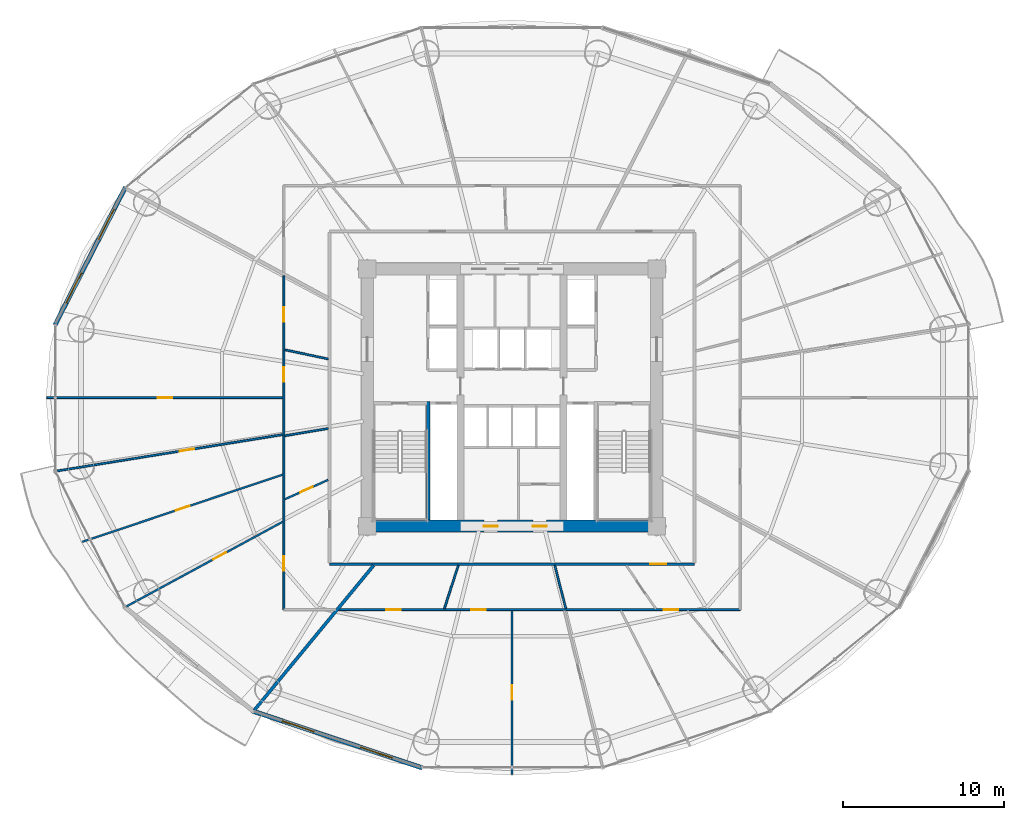
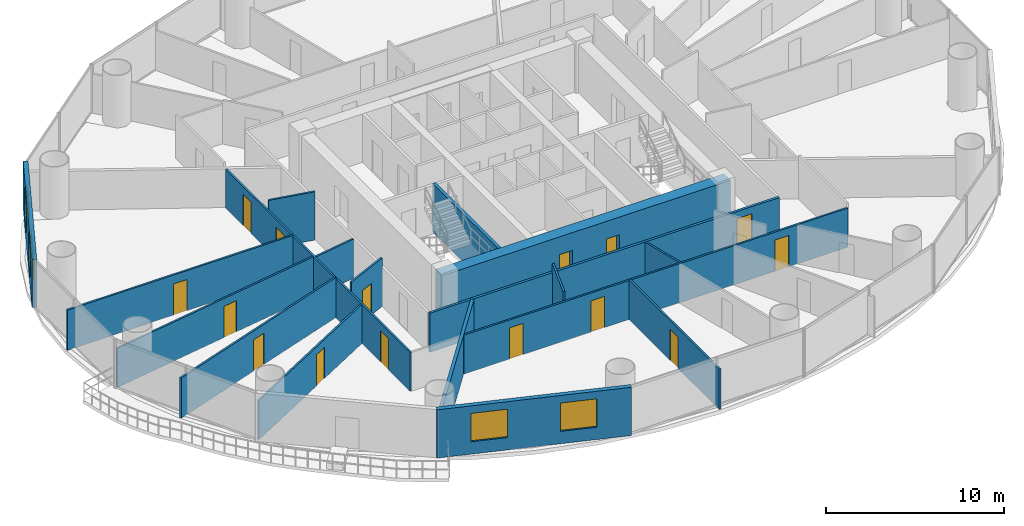
# One storey, part 22 of 29: 18 walls, 15 doors, 4 windows, 19 openings.
"""IFC4 building model written with IfcOpenShell, lengths in metres."""

from ifc_helpers import new_model, si_unit, direction, frame, frame_2d, origin, place, context, subcontext, project, spatial, rectangle, extrude, source, transform, mapped, material, layer, layer_set, type_object, element, fill, save


model = new_model("IFC4")

# Units and contexts
model_context = context("Model", 3, precision=1e-05, world=origin(), true_north=direction((-0.2419218956, 0.970295726276)))
body_context = subcontext(model_context, "Body", "Model", "MODEL_VIEW")
ifc_project = project(units=[si_unit("LENGTHUNIT", "METRE"), si_unit("AREAUNIT", "SQUARE_METRE"), si_unit("VOLUMEUNIT", "CUBIC_METRE"), si_unit("PLANEANGLEUNIT", "RADIAN"), si_unit("MASSUNIT", "GRAM", prefix="KILO")], contexts=[model_context])

# Site, building, storey
site_placement = place(None, origin())
site = spatial("IfcSite", under=ifc_project, at=site_placement, CompositionType="ELEMENT")
building_placement = place(site_placement, origin())
building = spatial("IfcBuilding", under=site, at=building_placement, Name="Cobrevalo Terracotta Tower", CompositionType="ELEMENT")
storey_placement = place(building_placement, frame((0.0, 0.0, 45.60009765625)))
storey = spatial("IfcBuildingStorey", under=building, at=storey_placement, Name="L11", CompositionType="ELEMENT", Elevation=45.60009765625)

# Wall, openings, doors
ifc_material_1 = material(Name="Concrete C60", Category="concrete")
ifc_layer_1 = layer(ifc_material_1, 0.75)
ifc_layer_set_1 = layer_set([ifc_layer_1], Name="Concrete C60")
wall_type_1 = type_object("IfcWallType", Name="Core shear wall 750 mm Concrete C60", PredefinedType="SHEAR", material=ifc_layer_set_1)
wall_1_placement = place(storey_placement, frame((28.625, 18.800048828125, 0.0), z_axis=(0.0, 0.0, 1.0), x_axis=(1.0, 0.0, 0.0)))
wall_1 = element("IfcWall", 1, at=wall_1_placement, inside=storey, type_object=wall_type_1, Name="L11 south core shear wall", PredefinedType="SHEAR", context=body_context, shape_type="SweptSolid", body=[
    extrude(rectangle(XDim=18.75, YDim=0.75, at=frame_2d((9.375, 0.0))), origin(), (0.0, 0.0, 1.0), 3.31982421875),
])
opening_1_placement = place(wall_1_placement, frame((7.62744140625, 0.0, 0.0)))
opening_1 = element("IfcOpeningElement", 2, at=opening_1_placement, cuts=wall_1, Name="Opening ID-22", PredefinedType="OPENING", context=body_context, shape_type="SweptSolid", body=[
    extrude(rectangle(XDim=0.85009765625, YDim=2.10009765625, at=frame_2d((0.425048828125, 1.050048828125))), frame((0.0, 0.385009765625, 0.0), z_axis=(0.0, -1.0, 0.0), x_axis=(1.0, 0.0, 0.0)), (0.0, 0.0, 1.0), 0.77001953125),
])
opening_2_placement = place(wall_1_placement, frame((10.672607421875, 0.0, 0.0)))
opening_2 = element("IfcOpeningElement", 3, at=opening_2_placement, cuts=wall_1, Name="Opening ID-22", PredefinedType="OPENING", context=body_context, shape_type="SweptSolid", body=[
    extrude(rectangle(XDim=0.85009765625, YDim=2.10009765625, at=frame_2d((0.425048828125, 1.050048828125))), frame((0.0, 0.385009765625, 0.0), z_axis=(0.0, -1.0, 0.0), x_axis=(1.0, 0.0, 0.0)), (0.0, 0.0, 1.0), 0.77001953125),
])
ifc_material_2 = material(Name="Powder-coated steel", Category="steel")
door_type_1 = type_object("IfcDoorType", Name="Riser shaft & meter closet fire access door 850x2100 EI 60", OperationType="NOTDEFINED", PredefinedType="DOOR", material=ifc_material_2)
shared_shape_1 = source(origin(), body_context, "Body", "SweptSolid", [
    extrude(rectangle(XDim=0.85009765625, YDim=2.10009765625, at=frame_2d((0.425048828125, 1.050048828125))), frame((0.0, 0.02490234375, 0.0), z_axis=(0.0, -1.0, 0.0), x_axis=(1.0, 0.0, 0.0)), (0.0, 0.0, 1.0), 0.050048828125),
])
door_1_placement = place(opening_1_placement, origin())
door_1 = element("IfcDoor", 4, at=door_1_placement, inside=storey, type_object=door_type_1, Name="L11 core south plant door Floor AHU Mechanical Plant", OperationType="SINGLE_SWING_RIGHT", OverallHeight=2.10009765625, OverallWidth=0.85009765625, PredefinedType="DOOR", context=body_context, shape_type="MappedRepresentation", body=[
    mapped(shared_shape_1, transform((0.0, 0.0, 0.0), scale=1.0)),
])
fill(opening_1, door_1)
door_2_placement = place(opening_2_placement, origin())
door_2 = element("IfcDoor", 5, at=door_2_placement, inside=storey, type_object=door_type_1, Name="L11 core south plant door Sprinkler Valve Plant", OperationType="SINGLE_SWING_RIGHT", OverallHeight=2.10009765625, OverallWidth=0.85009765625, PredefinedType="DOOR", context=body_context, shape_type="MappedRepresentation", body=[
    mapped(shared_shape_1, transform((0.0, 0.0, 0.0), scale=1.0)),
])
fill(opening_2, door_2)

# Wall, opening, door
ifc_material_3 = material(Name="Gypsum board on steel stud", Category="steel")
ifc_layer_2 = layer(ifc_material_3, 0.159912109375)
ifc_layer_set_2 = layer_set([ifc_layer_2], Name="Gypsum board on steel stud")
wall_type_2 = type_object("IfcWallType", Name="Fire-rated corridor acoustic partition wall 160 mm", PredefinedType="PARTITIONING", material=ifc_layer_set_2)
wall_2_placement = place(storey_placement, frame((26.64501953125, 16.445068359375, 0.0), z_axis=(0.0, 0.0, 1.0), x_axis=(1.0, 0.0, 0.0)))
wall_2 = element("IfcWall", 6, at=wall_2_placement, inside=storey, type_object=wall_type_2, Name="L11 interior partition IW-L11-COR-S", PredefinedType="PARTITIONING", context=body_context, shape_type="SweptSolid", body=[
    extrude(rectangle(XDim=22.7099609375, YDim=0.159912109375, at=frame_2d((11.35498046875, 0.0))), origin(), (0.0, 0.0, 1.0), 2.68798828125),
])
opening_3_placement = place(wall_2_placement, frame((19.962158203125, 0.0, 0.0)))
opening_3 = element("IfcOpeningElement", 7, at=opening_3_placement, cuts=wall_2, Name="Opening ID-05", PredefinedType="OPENING", context=body_context, shape_type="SweptSolid", body=[
    extrude(rectangle(XDim=0.97998046875, YDim=2.199951171875, at=frame_2d((0.489990234375, 1.10009765625))), frame((0.0, 0.08984375, 0.0), z_axis=(0.0, -1.0, 0.0), x_axis=(1.0, 0.0, 0.0)), (0.0, 0.0, 1.0), 0.179931640625),
])
ifc_material_4 = material(Name="Solid hardwood timber", Category="wood")
door_type_2 = type_object("IfcDoorType", Name="Residence entrance fire-rated acoustic timber door 980x2200 EI 60", OperationType="NOTDEFINED", PredefinedType="DOOR", material=ifc_material_4)
shared_shape_2 = source(origin(), body_context, "Body", "SweptSolid", [
    extrude(rectangle(XDim=0.97998046875, YDim=2.199951171875, at=frame_2d((0.489990234375, 1.10009765625))), frame((0.0, 0.02490234375, 0.0), z_axis=(0.0, -1.0, 0.0), x_axis=(1.0, 0.0, 0.0)), (0.0, 0.0, 1.0), 0.050048828125),
])
door_3_placement = place(opening_3_placement, origin())
door_3 = element("IfcDoor", 8, at=door_3_placement, inside=storey, type_object=door_type_2, Name="Flat L11D fire-rated apartment entrance door", OperationType="SINGLE_SWING_RIGHT", OverallHeight=2.199951171875, OverallWidth=0.97998046875, PredefinedType="DOOR", context=body_context, shape_type="MappedRepresentation", body=[
    mapped(shared_shape_2, transform((0.0, 0.0, 0.0), scale=1.0)),
])
fill(opening_3, door_3)

# Wall
ifc_material_5 = material(Name="Autoclaved aerated concrete block", Category="concrete")
ifc_layer_3 = layer(ifc_material_5, 0.199951171875)
ifc_layer_set_3 = layer_set([ifc_layer_3], Name="Autoclaved aerated concrete block")
wall_type_3 = type_object("IfcWallType", Name="Fire-rated stair, shaft & demising masonry wall 200 mm", PredefinedType="PARTITIONING", material=ifc_layer_set_3)
wall_3_placement = place(storey_placement, frame((29.395751953125, 16.364990234375, 0.0), z_axis=(0.0, 0.0, 1.0), x_axis=(-0.636186165667, -0.771535587393, 0.0)))
element("IfcWall", 9, at=wall_3_placement, inside=storey, type_object=wall_type_3, Name="L11 interior partition IW-L11-DEM-4", PredefinedType="PARTITIONING", context=body_context, shape_type="SweptSolid", body=[
    extrude(rectangle(XDim=11.68310546875, YDim=0.199951171875, at=frame_2d((5.841552734375, 0.0))), origin(), (0.0, 0.0, 1.0), 2.68798828125),
])

# Wall, openings, windows
ifc_layer_4 = layer(ifc_material_5, 0.280029296875)
ifc_layer_set_4 = layer_set([ifc_layer_4], Name="Autoclaved aerated concrete block")
wall_type_4 = type_object("IfcWallType", Name="Insulated tower spandrel & pier wall 280 mm with terracotta rainscreen", PredefinedType="SOLIDWALL", material=ifc_layer_set_4)
wall_4_placement = place(storey_placement, frame((13.94873046875, 39.910400390625, 0.0), z_axis=(0.0, 0.0, 1.0), x_axis=(-0.45523081716, -0.890373462715, 0.0)))
wall_4 = element("IfcWall", 10, at=wall_4_placement, inside=storey, type_object=wall_type_4, Name="L11 terracotta rainscreen pier wall S07", PredefinedType="SOLIDWALL", context=body_context, shape_type="SweptSolid", body=[
    extrude(rectangle(XDim=9.662109375, YDim=0.280029296875, at=frame_2d((4.8310546875, 0.0))), origin(), (0.0, 0.0, 1.0), 3.31982421875),
])
opening_4_placement = place(wall_4_placement, frame((1.558837890625, 0.0, 0.85009765625)))
opening_4 = element("IfcOpeningElement", 11, at=opening_4_placement, cuts=wall_4, Name="Opening WN-10", PredefinedType="OPENING", context=body_context, shape_type="SweptSolid", body=[
    extrude(rectangle(XDim=2.10009765625, YDim=1.949951171875, at=frame_2d((1.050048828125, 0.97509765625))), frame((0.0, 0.14990234375, 0.0), z_axis=(0.0, -1.0, 0.0), x_axis=(1.0, 0.0, 0.0)), (0.0, 0.0, 1.0), 0.300048828125),
])
opening_5_placement = place(wall_4_placement, frame((6.00341796875, 0.0, 0.85009765625)))
opening_5 = element("IfcOpeningElement", 12, at=opening_5_placement, cuts=wall_4, Name="Opening WN-10", PredefinedType="OPENING", context=body_context, shape_type="SweptSolid", body=[
    extrude(rectangle(XDim=2.10009765625, YDim=1.949951171875, at=frame_2d((1.050048828125, 0.97509765625))), frame((0.0, 0.14990234375, 0.0), z_axis=(0.0, -1.0, 0.0), x_axis=(1.0, 0.0, 0.0)), (0.0, 0.0, 1.0), 0.300048828125),
])
ifc_material_6 = material(Name="Solar-control low-E double glazing", Category="glass")
window_type = type_object("IfcWindowType", Name="Wide panoramic low-E aluminium window 2100x1950", PartitioningType="SINGLE_PANEL", PredefinedType="WINDOW", material=ifc_material_6)
shared_shape_3 = source(origin(), body_context, "Body", "SweptSolid", [
    extrude(rectangle(XDim=2.10009765625, YDim=1.949951171875, at=frame_2d((1.050048828125, 0.97509765625))), frame((0.0, 0.030029296875, 0.0), z_axis=(0.0, -1.0, 0.0), x_axis=(1.0, 0.0, 0.0)), (0.0, 0.0, 1.0), 0.06005859375),
])
window_1_placement = place(opening_4_placement, origin())
window_1 = element("IfcWindow", 13, at=window_1_placement, inside=storey, type_object=window_type, Name="L11 suite window S07A", OverallHeight=1.949951171875, OverallWidth=2.10009765625, PartitioningType="SINGLE_PANEL", PredefinedType="WINDOW", context=body_context, shape_type="MappedRepresentation", body=[
    mapped(shared_shape_3, transform((0.0, 0.0, 0.0), scale=1.0)),
])
fill(opening_4, window_1)
window_2_placement = place(opening_5_placement, origin())
window_2 = element("IfcWindow", 14, at=window_2_placement, inside=storey, type_object=window_type, Name="L11 suite window S07B", OverallHeight=1.949951171875, OverallWidth=2.10009765625, PartitioningType="SINGLE_PANEL", PredefinedType="WINDOW", context=body_context, shape_type="MappedRepresentation", body=[
    mapped(shared_shape_3, transform((0.0, 0.0, 0.0), scale=1.0)),
])
fill(opening_5, window_2)

wall_5_placement = place(storey_placement, frame((21.829345703125, 7.310791015625, 0.0), z_axis=(0.0, 0.0, 1.0), x_axis=(0.948047847546, -0.31812777113, 0.0)))
wall_5 = element("IfcWall", 15, at=wall_5_placement, inside=storey, type_object=wall_type_4, Name="L11 terracotta rainscreen pier wall S11", PredefinedType="SOLIDWALL", context=body_context, shape_type="SweptSolid", body=[
    extrude(rectangle(XDim=11.17529296875, YDim=0.280029296875, at=frame_2d((5.587646484375, 0.0))), origin(), (0.0, 0.0, 1.0), 3.31982421875),
])
opening_6_placement = place(wall_5_placement, frame((1.96728515625, 0.0, 0.85009765625)))
opening_6 = element("IfcOpeningElement", 16, at=opening_6_placement, cuts=wall_5, Name="Opening WN-10", PredefinedType="OPENING", context=body_context, shape_type="SweptSolid", body=[
    extrude(rectangle(XDim=2.10009765625, YDim=1.949951171875, at=frame_2d((1.050048828125, 0.97509765625))), frame((0.0, 0.14990234375, 0.0), z_axis=(0.0, -1.0, 0.0), x_axis=(1.0, 0.0, 0.0)), (0.0, 0.0, 1.0), 0.300048828125),
])
opening_7_placement = place(wall_5_placement, frame((7.108154296875, 0.0, 0.85009765625)))
opening_7 = element("IfcOpeningElement", 17, at=opening_7_placement, cuts=wall_5, Name="Opening WN-10", PredefinedType="OPENING", context=body_context, shape_type="SweptSolid", body=[
    extrude(rectangle(XDim=2.10009765625, YDim=1.949951171875, at=frame_2d((1.050048828125, 0.97509765625))), frame((0.0, 0.14990234375, 0.0), z_axis=(0.0, -1.0, 0.0), x_axis=(1.0, 0.0, 0.0)), (0.0, 0.0, 1.0), 0.300048828125),
])
window_3_placement = place(opening_6_placement, origin())
window_3 = element("IfcWindow", 18, at=window_3_placement, inside=storey, type_object=window_type, Name="L11 suite window S11A", OverallHeight=1.949951171875, OverallWidth=2.10009765625, PartitioningType="SINGLE_PANEL", PredefinedType="WINDOW", context=body_context, shape_type="MappedRepresentation", body=[
    mapped(shared_shape_3, transform((0.0, 0.0, 0.0), scale=1.0)),
])
fill(opening_6, window_3)
window_4_placement = place(opening_7_placement, origin())
window_4 = element("IfcWindow", 19, at=window_4_placement, inside=storey, type_object=window_type, Name="L11 suite window S11B", OverallHeight=1.949951171875, OverallWidth=2.10009765625, PartitioningType="SINGLE_PANEL", PredefinedType="WINDOW", context=body_context, shape_type="MappedRepresentation", body=[
    mapped(shared_shape_3, transform((0.0, 0.0, 0.0), scale=1.0)),
])
fill(opening_7, window_4)

# Wall, openings, doors
ifc_layer_5 = layer(ifc_material_3, 0.1201171875)
ifc_layer_set_5 = layer_set([ifc_layer_5], Name="Gypsum board on steel stud")
wall_type_5 = type_object("IfcWallType", Name="Residential internal acoustic stud partition 120 mm", PredefinedType="PARTITIONING", material=ifc_layer_set_5)
wall_6_placement = place(storey_placement, frame((23.804931640625, 13.60498046875, 0.0), z_axis=(0.0, 0.0, 1.0), x_axis=(0.0, 1.0, 0.0)))
wall_6 = element("IfcWall", 20, at=wall_6_placement, inside=storey, type_object=wall_type_5, Name="L11 interior partition IW-L11-U3-RING1_0", PredefinedType="PARTITIONING", context=body_context, shape_type="SweptSolid", body=[
    extrude(rectangle(XDim=20.779052734375, YDim=0.1201171875, at=frame_2d((10.3896484375, 0.0))), origin(), (0.0, 0.0, 1.0), 2.68798828125),
])
opening_8_placement = place(wall_6_placement, frame((2.424560546875, 0.0, 0.0)))
opening_8 = element("IfcOpeningElement", 21, at=opening_8_placement, cuts=wall_6, Name="Opening ID-12", PredefinedType="OPENING", context=body_context, shape_type="SweptSolid", body=[
    extrude(rectangle(XDim=0.89990234375, YDim=2.14990234375, at=frame_2d((0.449951171875, 1.074951171875))), frame((0.0, 0.070068359375, 0.0), z_axis=(0.0, -1.0, 0.0), x_axis=(1.0, 0.0, 0.0)), (0.0, 0.0, 1.0), 0.14013671875),
])
opening_9_placement = place(wall_6_placement, frame((14.19873046875, 0.0, 0.0)))
opening_9 = element("IfcOpeningElement", 22, at=opening_9_placement, cuts=wall_6, Name="Opening ID-12", PredefinedType="OPENING", context=body_context, shape_type="SweptSolid", body=[
    extrude(rectangle(XDim=0.89990234375, YDim=2.14990234375, at=frame_2d((0.449951171875, 1.074951171875))), frame((0.0, 0.070068359375, 0.0), z_axis=(0.0, -1.0, 0.0), x_axis=(1.0, 0.0, 0.0)), (0.0, 0.0, 1.0), 0.14013671875),
])
opening_10_placement = place(wall_6_placement, frame((17.908203125, 0.0, 0.0)))
opening_10 = element("IfcOpeningElement", 23, at=opening_10_placement, cuts=wall_6, Name="Opening ID-12", PredefinedType="OPENING", context=body_context, shape_type="SweptSolid", body=[
    extrude(rectangle(XDim=0.89990234375, YDim=2.14990234375, at=frame_2d((0.449951171875, 1.074951171875))), frame((0.0, 0.070068359375, 0.0), z_axis=(0.0, -1.0, 0.0), x_axis=(1.0, 0.0, 0.0)), (0.0, 0.0, 1.0), 0.14013671875),
])
ifc_material_7 = material(Name="Engineered timber", Category="wood")
door_type_3 = type_object("IfcDoorType", Name="Internal residence & suite timber door 900x2150", OperationType="NOTDEFINED", PredefinedType="DOOR", material=ifc_material_7)
shared_shape_4 = source(origin(), body_context, "Body", "SweptSolid", [
    extrude(rectangle(XDim=0.89990234375, YDim=2.14990234375, at=frame_2d((0.449951171875, 1.074951171875))), frame((0.0, 0.02490234375, 0.0), z_axis=(0.0, -1.0, 0.0), x_axis=(1.0, 0.0, 0.0)), (0.0, 0.0, 1.0), 0.050048828125),
])
door_4_placement = place(opening_8_placement, origin())
door_4 = element("IfcDoor", 24, at=door_4_placement, inside=storey, type_object=door_type_3, Name="Flat L11C Penthouse Family Lounge internal door", OperationType="SINGLE_SWING_LEFT", OverallHeight=2.14990234375, OverallWidth=0.89990234375, PredefinedType="DOOR", context=body_context, shape_type="MappedRepresentation", body=[
    mapped(shared_shape_4, transform((0.0, 0.0, 0.0), scale=1.0)),
])
fill(opening_8, door_4)
door_5_placement = place(opening_9_placement, frame((0.89990234375, 0.0, 0.0), z_axis=(0.0, 0.0, 1.0), x_axis=(-1.0, 0.0, 0.0)))
door_5 = element("IfcDoor", 25, at=door_5_placement, inside=storey, type_object=door_type_3, Name="Flat L11C Kitchen internal door", OperationType="SINGLE_SWING_RIGHT", OverallHeight=2.14990234375, OverallWidth=0.89990234375, PredefinedType="DOOR", context=body_context, shape_type="MappedRepresentation", body=[
    mapped(shared_shape_4, transform((0.0, 0.0, 0.0), scale=1.0)),
])
fill(opening_9, door_5)
door_6_placement = place(opening_10_placement, frame((0.89990234375, 0.0, 0.0), z_axis=(0.0, 0.0, 1.0), x_axis=(-1.0, 0.0, 0.0)))
door_6 = element("IfcDoor", 26, at=door_6_placement, inside=storey, type_object=door_type_3, Name="Flat L11C Home Office Study internal door", OperationType="SINGLE_SWING_LEFT", OverallHeight=2.14990234375, OverallWidth=0.89990234375, PredefinedType="DOOR", context=body_context, shape_type="MappedRepresentation", body=[
    mapped(shared_shape_4, transform((0.0, 0.0, 0.0), scale=1.0)),
])
fill(opening_10, door_6)

# Wall, opening, door
wall_7_placement = place(storey_placement, frame((23.742919921875, 26.800048828125, 0.0), z_axis=(0.0, 0.0, 1.0), x_axis=(-1.0, 0.0, 0.0)))
wall_7 = element("IfcWall", 27, at=wall_7_placement, inside=storey, type_object=wall_type_5, Name="L11 interior partition IW-L11-U3-ORAD1", PredefinedType="PARTITIONING", context=body_context, shape_type="SweptSolid", body=[
    extrude(rectangle(XDim=14.682861328125, YDim=0.1201171875, at=frame_2d((7.34130859375, 0.0))), origin(), (0.0, 0.0, 1.0), 2.761962890625),
])
opening_11_placement = place(wall_7_placement, frame((6.8916015625, 0.0, 0.0)))
opening_11 = element("IfcOpeningElement", 28, at=opening_11_placement, cuts=wall_7, Name="Opening ID-12", PredefinedType="OPENING", context=body_context, shape_type="SweptSolid", body=[
    extrude(rectangle(XDim=0.89990234375, YDim=2.14990234375, at=frame_2d((0.449951171875, 1.074951171875))), frame((0.0, 0.070068359375, 0.0), z_axis=(0.0, -1.0, 0.0), x_axis=(1.0, 0.0, 0.0)), (0.0, 0.0, 1.0), 0.14013671875),
])
door_7_placement = place(opening_11_placement, frame((0.89990234375, 0.0, 0.0), z_axis=(0.0, 0.0, 1.0), x_axis=(-1.0, 0.0, 0.0)))
door_7 = element("IfcDoor", 29, at=door_7_placement, inside=storey, type_object=door_type_3, Name="Flat L11C Penthouse Living and Dining Room internal door", OperationType="SINGLE_SWING_LEFT", OverallHeight=2.14990234375, OverallWidth=0.89990234375, PredefinedType="DOOR", context=body_context, shape_type="MappedRepresentation", body=[
    mapped(shared_shape_4, transform((0.0, 0.0, 0.0), scale=1.0)),
])
fill(opening_11, door_7)

wall_8_placement = place(storey_placement, frame((23.743896484375, 24.501953125, 0.0), z_axis=(0.0, 0.0, 1.0), x_axis=(-0.987259708938, -0.159117149007, 0.0)))
wall_8 = element("IfcWall", 30, at=wall_8_placement, inside=storey, type_object=wall_type_5, Name="L11 interior partition IW-L11-U3-ORAD2", PredefinedType="PARTITIONING", context=body_context, shape_type="SweptSolid", body=[
    extrude(rectangle(XDim=14.248046875, YDim=0.1201171875, at=frame_2d((7.1240234375, 0.0))), origin(), (0.0, 0.0, 1.0), 2.68798828125),
])
opening_12_placement = place(wall_8_placement, frame((5.603271484375, 0.0, 0.0)))
opening_12 = element("IfcOpeningElement", 31, at=opening_12_placement, cuts=wall_8, Name="Opening ID-12", PredefinedType="OPENING", context=body_context, shape_type="SweptSolid", body=[
    extrude(rectangle(XDim=0.89990234375, YDim=2.14990234375, at=frame_2d((0.449951171875, 1.074951171875))), frame((0.0, 0.070068359375, 0.0), z_axis=(0.0, -1.0, 0.0), x_axis=(1.0, 0.0, 0.0)), (0.0, 0.0, 1.0), 0.14013671875),
])
door_8_placement = place(opening_12_placement, frame((0.89990234375, 0.0, 0.0), z_axis=(0.0, 0.0, 1.0), x_axis=(-1.0, 0.0, 0.0)))
door_8 = element("IfcDoor", 32, at=door_8_placement, inside=storey, type_object=door_type_3, Name="Flat L11C Master Bedroom internal door", OperationType="SINGLE_SWING_RIGHT", OverallHeight=2.14990234375, OverallWidth=0.89990234375, PredefinedType="DOOR", context=body_context, shape_type="MappedRepresentation", body=[
    mapped(shared_shape_4, transform((0.0, 0.0, 0.0), scale=1.0)),
])
fill(opening_12, door_8)

wall_9_placement = place(storey_placement, frame((23.746337890625, 22.015625, 0.0), z_axis=(0.0, 0.0, 1.0), x_axis=(-0.948022802246, -0.318202398516, 0.0)))
wall_9 = element("IfcWall", 33, at=wall_9_placement, inside=storey, type_object=wall_type_5, Name="L11 interior partition IW-L11-U3-ORAD3M1", PredefinedType="PARTITIONING", context=body_context, shape_type="SweptSolid", body=[
    extrude(rectangle(XDim=13.162841796875, YDim=0.1201171875, at=frame_2d((6.58154296875, 0.0))), origin(), (0.0, 0.0, 1.0), 2.761962890625),
])
opening_13_placement = place(wall_9_placement, frame((6.13134765625, 0.0, 0.0)))
opening_13 = element("IfcOpeningElement", 34, at=opening_13_placement, cuts=wall_9, Name="Opening ID-12", PredefinedType="OPENING", context=body_context, shape_type="SweptSolid", body=[
    extrude(rectangle(XDim=0.89990234375, YDim=2.14990234375, at=frame_2d((0.449951171875, 1.074951171875))), frame((0.0, 0.070068359375, 0.0), z_axis=(0.0, -1.0, 0.0), x_axis=(1.0, 0.0, 0.0)), (0.0, 0.0, 1.0), 0.14013671875),
])
door_9_placement = place(opening_13_placement, frame((0.89990234375, 0.0, 0.0), z_axis=(0.0, 0.0, 1.0), x_axis=(-1.0, 0.0, 0.0)))
door_9 = element("IfcDoor", 35, at=door_9_placement, inside=storey, type_object=door_type_3, Name="Flat L11C Principal Guest Bedroom internal door", OperationType="SINGLE_SWING_LEFT", OverallHeight=2.14990234375, OverallWidth=0.89990234375, PredefinedType="DOOR", context=body_context, shape_type="MappedRepresentation", body=[
    mapped(shared_shape_4, transform((0.0, 0.0, 0.0), scale=1.0)),
])
fill(opening_13, door_9)

wall_10_placement = place(storey_placement, frame((23.75048828125, 19.08447265625, 0.0), z_axis=(0.0, 0.0, 1.0), x_axis=(-0.879370672984, -0.476137815654, 0.0)))
wall_10 = element("IfcWall", 36, at=wall_10_placement, inside=storey, type_object=wall_type_5, Name="L11 interior partition IW-L11-U3-ORAD3", PredefinedType="PARTITIONING", context=body_context, shape_type="SweptSolid", body=[
    extrude(rectangle(XDim=11.094482421875, YDim=0.1201171875, at=frame_2d((5.54736328125, 0.0))), origin(), (0.0, 0.0, 1.0), 2.68798828125),
])
opening_14_placement = place(wall_10_placement, frame((4.0341796875, 0.0, 0.0)))
opening_14 = element("IfcOpeningElement", 37, at=opening_14_placement, cuts=wall_10, Name="Opening ID-12", PredefinedType="OPENING", context=body_context, shape_type="SweptSolid", body=[
    extrude(rectangle(XDim=0.89990234375, YDim=2.14990234375, at=frame_2d((0.449951171875, 1.074951171875))), frame((0.0, 0.070068359375, 0.0), z_axis=(0.0, -1.0, 0.0), x_axis=(1.0, 0.0, 0.0)), (0.0, 0.0, 1.0), 0.14013671875),
])
door_10_placement = place(opening_14_placement, frame((0.89990234375, 0.0, 0.0), z_axis=(0.0, 0.0, 1.0), x_axis=(-1.0, 0.0, 0.0)))
door_10 = element("IfcDoor", 38, at=door_10_placement, inside=storey, type_object=door_type_3, Name="Flat L11C Principal Guest Bedroom internal door", OperationType="SINGLE_SWING_RIGHT", OverallHeight=2.14990234375, OverallWidth=0.89990234375, PredefinedType="DOOR", context=body_context, shape_type="MappedRepresentation", body=[
    mapped(shared_shape_4, transform((0.0, 0.0, 0.0), scale=1.0)),
])
fill(opening_14, door_10)

# Walls
wall_11_placement = place(storey_placement, frame((26.56494140625, 29.20654296875, 0.0), z_axis=(0.0, 0.0, 1.0), x_axis=(-0.978560113768, 0.205961413236, 0.0)))
element("IfcWall", 39, at=wall_11_placement, inside=storey, type_object=wall_type_5, Name="L11 interior partition IW-L11-U3-IRAD1", PredefinedType="PARTITIONING", context=body_context, shape_type="SweptSolid", body=[
    extrude(rectangle(XDim=2.75830078125, YDim=0.1201171875, at=frame_2d((1.379150390625, 0.0))), origin(), (0.0, 0.0, 1.0), 3.31982421875),
])
wall_12_placement = place(storey_placement, frame((26.56494140625, 24.882568359375, 0.0), z_axis=(0.0, 0.0, 1.0), x_axis=(-0.986224611599, -0.165411654596, 0.0)))
element("IfcWall", 40, at=wall_12_placement, inside=storey, type_object=wall_type_5, Name="L11 interior partition IW-L11-U3-IRAD2", PredefinedType="PARTITIONING", context=body_context, shape_type="SweptSolid", body=[
    extrude(rectangle(XDim=2.736328125, YDim=0.1201171875, at=frame_2d((1.3681640625, 0.0))), origin(), (0.0, 0.0, 1.0), 2.68798828125),
])

# Wall, opening, door
wall_13_placement = place(storey_placement, frame((26.56494140625, 21.685302734375, 0.0), z_axis=(0.0, 0.0, 1.0), x_axis=(-0.912840085104, -0.408317252914, 0.0)))
wall_13 = element("IfcWall", 41, at=wall_13_placement, inside=storey, type_object=wall_type_5, Name="L11 interior partition IW-L11-U3-IRAD3", PredefinedType="PARTITIONING", context=body_context, shape_type="SweptSolid", body=[
    extrude(rectangle(XDim=2.96142578125, YDim=0.1201171875, at=frame_2d((1.480712890625, 0.0))), origin(), (0.0, 0.0, 1.0), 3.31982421875),
])
opening_15_placement = place(wall_13_placement, frame((1.05078125, 0.0, 0.0)))
opening_15 = element("IfcOpeningElement", 42, at=opening_15_placement, cuts=wall_13, Name="Opening ID-19", PredefinedType="OPENING", context=body_context, shape_type="SweptSolid", body=[
    extrude(rectangle(XDim=0.860107421875, YDim=2.14990234375, at=frame_2d((0.43017578125, 1.074951171875))), frame((0.0, 0.070068359375, 0.0), z_axis=(0.0, -1.0, 0.0), x_axis=(1.0, 0.0, 0.0)), (0.0, 0.0, 1.0), 0.14013671875),
])
ifc_material_8 = material(Name="Moisture-sealed timber", Category="wood")
door_type_4 = type_object("IfcDoorType", Name="Suite bathroom internal timber door 860x2150", OperationType="NOTDEFINED", PredefinedType="DOOR", material=ifc_material_8)
shared_shape_5 = source(origin(), body_context, "Body", "SweptSolid", [
    extrude(rectangle(XDim=0.860107421875, YDim=2.14990234375, at=frame_2d((0.43017578125, 1.074951171875))), frame((0.0, 0.02490234375, 0.0), z_axis=(0.0, -1.0, 0.0), x_axis=(1.0, 0.0, 0.0)), (0.0, 0.0, 1.0), 0.050048828125),
])
door_11_placement = place(opening_15_placement, frame((0.860107421875, 0.0, 0.0), z_axis=(0.0, 0.0, 1.0), x_axis=(-1.0, 0.0, 0.0)))
door_11 = element("IfcDoor", 43, at=door_11_placement, inside=storey, type_object=door_type_4, Name="Flat L11C Primary Bathroom internal door", OperationType="SINGLE_SWING_RIGHT", OverallHeight=2.14990234375, OverallWidth=0.860107421875, PredefinedType="DOOR", context=body_context, shape_type="MappedRepresentation", body=[
    mapped(shared_shape_5, transform((0.0, 0.0, 0.0), scale=1.0)),
])
fill(opening_15, door_11)

# Wall, openings, doors
wall_14_placement = place(storey_placement, frame((52.195068359375, 13.60498046875, 0.0), z_axis=(0.0, 0.0, 1.0), x_axis=(-1.0, 0.0, 0.0)))
wall_14 = element("IfcWall", 44, at=wall_14_placement, inside=storey, type_object=wall_type_5, Name="L11 interior partition IW-L11-U4-RING1_0", PredefinedType="PARTITIONING", context=body_context, shape_type="SweptSolid", body=[
    extrude(rectangle(XDim=24.97314453125, YDim=0.1201171875, at=frame_2d((12.486572265625, 0.0))), origin(), (0.0, 0.0, 1.0), 2.68798828125),
])
opening_16_placement = place(wall_14_placement, frame((3.8408203125, 0.0, 0.0)))
opening_16 = element("IfcOpeningElement", 45, at=opening_16_placement, cuts=wall_14, Name="Opening ID-12", PredefinedType="OPENING", context=body_context, shape_type="SweptSolid", body=[
    extrude(rectangle(XDim=0.89990234375, YDim=2.14990234375, at=frame_2d((0.449951171875, 1.074951171875))), frame((0.0, 0.070068359375, 0.0), z_axis=(0.0, -1.0, 0.0), x_axis=(1.0, 0.0, 0.0)), (0.0, 0.0, 1.0), 0.14013671875),
])
opening_17_placement = place(wall_14_placement, frame((15.8193359375, 0.0, 0.0)))
opening_17 = element("IfcOpeningElement", 46, at=opening_17_placement, cuts=wall_14, Name="Opening ID-12", PredefinedType="OPENING", context=body_context, shape_type="SweptSolid", body=[
    extrude(rectangle(XDim=0.89990234375, YDim=2.14990234375, at=frame_2d((0.449951171875, 1.074951171875))), frame((0.0, 0.070068359375, 0.0), z_axis=(0.0, -1.0, 0.0), x_axis=(1.0, 0.0, 0.0)), (0.0, 0.0, 1.0), 0.14013671875),
])
opening_18_placement = place(wall_14_placement, frame((21.12255859375, 0.0, 0.0)))
opening_18 = element("IfcOpeningElement", 47, at=opening_18_placement, cuts=wall_14, Name="Opening ID-12", PredefinedType="OPENING", context=body_context, shape_type="SweptSolid", body=[
    extrude(rectangle(XDim=0.89990234375, YDim=2.14990234375, at=frame_2d((0.449951171875, 1.074951171875))), frame((0.0, 0.070068359375, 0.0), z_axis=(0.0, -1.0, 0.0), x_axis=(1.0, 0.0, 0.0)), (0.0, 0.0, 1.0), 0.14013671875),
])
door_12_placement = place(opening_16_placement, origin())
door_12 = element("IfcDoor", 48, at=door_12_placement, inside=storey, type_object=door_type_3, Name="Flat L11D Penthouse Family Lounge internal door", OperationType="SINGLE_SWING_RIGHT", OverallHeight=2.14990234375, OverallWidth=0.89990234375, PredefinedType="DOOR", context=body_context, shape_type="MappedRepresentation", body=[
    mapped(shared_shape_4, transform((0.0, 0.0, 0.0), scale=1.0)),
])
fill(opening_16, door_12)
door_13_placement = place(opening_17_placement, frame((0.89990234375, 0.0, 0.0), z_axis=(0.0, 0.0, 1.0), x_axis=(-1.0, 0.0, 0.0)))
door_13 = element("IfcDoor", 49, at=door_13_placement, inside=storey, type_object=door_type_3, Name="Flat L11D Kitchen internal door", OperationType="SINGLE_SWING_LEFT", OverallHeight=2.14990234375, OverallWidth=0.89990234375, PredefinedType="DOOR", context=body_context, shape_type="MappedRepresentation", body=[
    mapped(shared_shape_4, transform((0.0, 0.0, 0.0), scale=1.0)),
])
fill(opening_17, door_13)
door_14_placement = place(opening_18_placement, frame((0.89990234375, 0.0, 0.0), z_axis=(0.0, 0.0, 1.0), x_axis=(-1.0, 0.0, 0.0)))
door_14 = element("IfcDoor", 50, at=door_14_placement, inside=storey, type_object=door_type_3, Name="Flat L11D Home Office Study internal door", OperationType="SINGLE_SWING_RIGHT", OverallHeight=2.14990234375, OverallWidth=0.89990234375, PredefinedType="DOOR", context=body_context, shape_type="MappedRepresentation", body=[
    mapped(shared_shape_4, transform((0.0, 0.0, 0.0), scale=1.0)),
])
fill(opening_18, door_14)

# Wall, opening, door
wall_15_placement = place(storey_placement, frame((38.0, 13.54296875, 0.0), z_axis=(0.0, 0.0, 1.0), x_axis=(0.0, -1.0, 0.0)))
wall_15 = element("IfcWall", 51, at=wall_15_placement, inside=storey, type_object=wall_type_5, Name="L11 interior partition IW-L11-U4-ORAD1", PredefinedType="PARTITIONING", context=body_context, shape_type="SweptSolid", body=[
    extrude(rectangle(XDim=10.182861328125, YDim=0.1201171875, at=frame_2d((5.09130859375, 0.0))), origin(), (0.0, 0.0, 1.0), 2.761962890625),
])
opening_19_placement = place(wall_15_placement, frame((4.6416015625, 0.0, 0.0)))
opening_19 = element("IfcOpeningElement", 52, at=opening_19_placement, cuts=wall_15, Name="Opening ID-12", PredefinedType="OPENING", context=body_context, shape_type="SweptSolid", body=[
    extrude(rectangle(XDim=0.89990234375, YDim=2.14990234375, at=frame_2d((0.449951171875, 1.074951171875))), frame((0.0, 0.070068359375, 0.0), z_axis=(0.0, -1.0, 0.0), x_axis=(1.0, 0.0, 0.0)), (0.0, 0.0, 1.0), 0.14013671875),
])
door_15_placement = place(opening_19_placement, frame((0.89990234375, 0.0, 0.0), z_axis=(0.0, 0.0, 1.0), x_axis=(-1.0, 0.0, 0.0)))
door_15 = element("IfcDoor", 53, at=door_15_placement, inside=storey, type_object=door_type_3, Name="Flat L11D Penthouse Living and Dining Room internal door", OperationType="SINGLE_SWING_RIGHT", OverallHeight=2.14990234375, OverallWidth=0.89990234375, PredefinedType="DOOR", context=body_context, shape_type="MappedRepresentation", body=[
    mapped(shared_shape_4, transform((0.0, 0.0, 0.0), scale=1.0)),
])
fill(opening_19, door_15)

# Walls
wall_16_placement = place(storey_placement, frame((34.655517578125, 16.364990234375, 0.0), z_axis=(0.0, 0.0, 1.0), x_axis=(-0.305153630579, -0.952303135427, 0.0)))
element("IfcWall", 54, at=wall_16_placement, inside=storey, type_object=wall_type_5, Name="L11 interior partition IW-L11-U4-IRAD1", PredefinedType="PARTITIONING", context=body_context, shape_type="SweptSolid", body=[
    extrude(rectangle(XDim=2.836181640625, YDim=0.1201171875, at=frame_2d((1.41796875, 0.0))), origin(), (0.0, 0.0, 1.0), 3.31982421875),
])
wall_17_placement = place(storey_placement, frame((40.664794921875, 16.364990234375, 0.0), z_axis=(0.0, 0.0, 1.0), x_axis=(0.2474182455, -0.968908773721, 0.0)))
element("IfcWall", 55, at=wall_17_placement, inside=storey, type_object=wall_type_5, Name="L11 interior partition IW-L11-U4-IRAD2", PredefinedType="PARTITIONING", context=body_context, shape_type="SweptSolid", body=[
    extrude(rectangle(XDim=2.78662109375, YDim=0.1201171875, at=frame_2d((1.393310546875, 0.0))), origin(), (0.0, 0.0, 1.0), 2.68798828125),
])
ifc_material_9 = material(Name="Concrete C50", Category="concrete")
ifc_layer_6 = layer(ifc_material_9, 0.199951171875)
ifc_layer_set_6 = layer_set([ifc_layer_6], Name="Concrete C50")
wall_type_6 = type_object("IfcWallType", Name="Structural core & podium stair-shaft RC wall 200 mm Concrete C50", PredefinedType="SOLIDWALL", material=ifc_layer_set_6)
wall_18_placement = place(storey_placement, frame((32.794921875, 19.175048828125, 0.0), z_axis=(0.0, 0.0, 1.0), x_axis=(0.0, 1.0, 0.0)))
element("IfcWall", 56, at=wall_18_placement, inside=storey, type_object=wall_type_6, Name="L11 ST-1 east structural shaft wall", PredefinedType="SOLIDWALL", context=body_context, shape_type="SweptSolid", body=[
    extrude(rectangle(XDim=7.375, YDim=0.199951171875, at=frame_2d((3.6875, 0.0))), origin(), (0.0, 0.0, 1.0), 3.31982421875),
])

save(model, "model.ifc")
